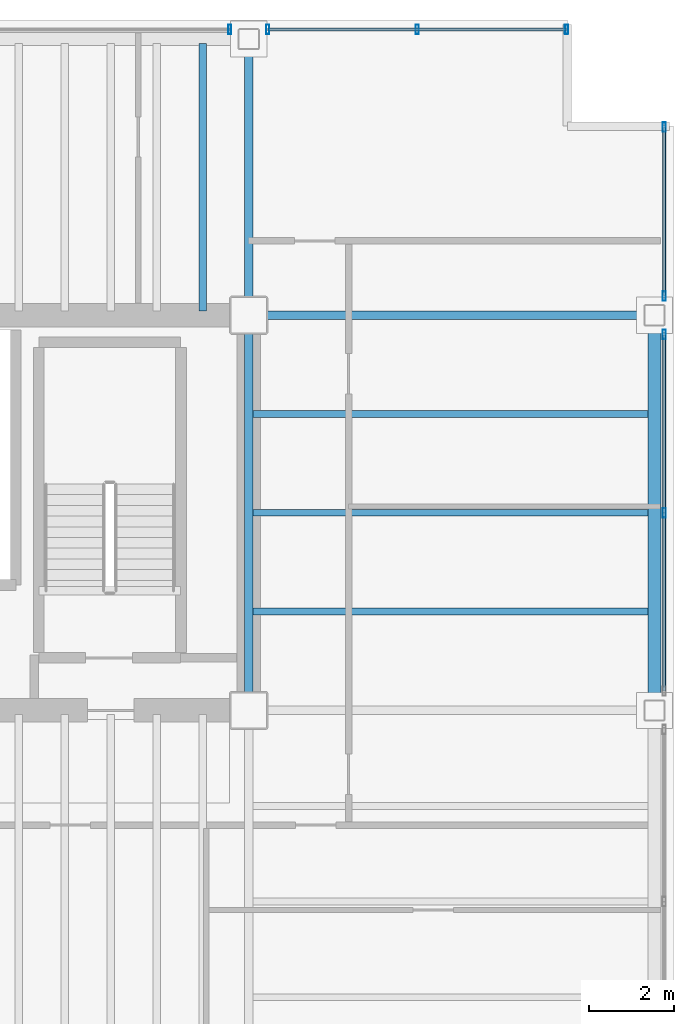
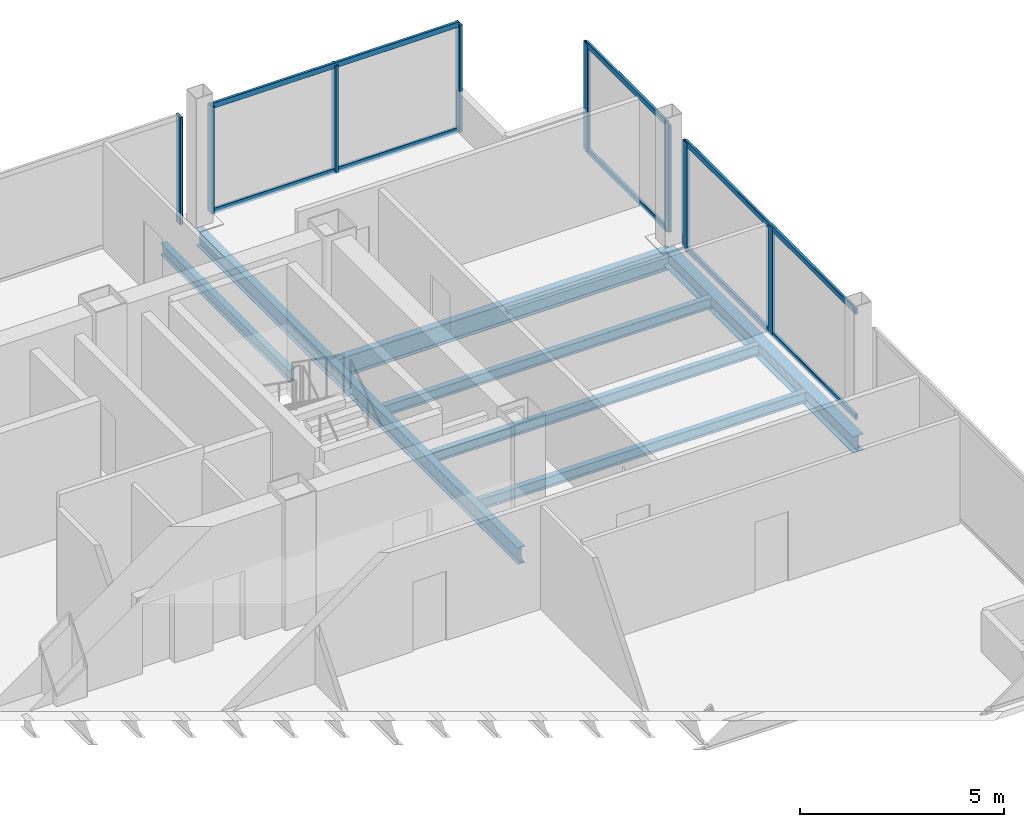
# One storey, part 11 of 15: 14 members, 8 beams, 4 elements without a shape of their own.
"""IFC4 building model written with IfcOpenShell, lengths in metres."""

from ifc_helpers import new_model, si_unit, direction, frame, origin, origin_2d, place, context, subcontext, project, spatial, hollow_rectangle, i_section, extrude, material, material_profile, profile_set, type_object, element, aggregate, save


model = new_model("IFC4")

# Units and contexts
model_context = context("Model", 3, precision=1e-05, world=origin(), true_north=direction((0.0, 1.0)))
body_context = subcontext(model_context, "Body", "Model", "MODEL_VIEW")
ifc_project = project(units=[si_unit("LENGTHUNIT", "METRE"), si_unit("AREAUNIT", "SQUARE_METRE"), si_unit("VOLUMEUNIT", "CUBIC_METRE"), si_unit("PLANEANGLEUNIT", "RADIAN"), si_unit("MASSUNIT", "GRAM", prefix="KILO")], contexts=[model_context])

# Site, building, storey
site_placement = place(None, origin())
site = spatial("IfcSite", under=ifc_project, at=site_placement, CompositionType="ELEMENT")
building_placement = place(site_placement, origin())
building = spatial("IfcBuilding", under=site, at=building_placement, Name="Noeulbin Bourse Tower", CompositionType="ELEMENT")
storey_placement = place(building_placement, frame((0.0, 0.0, 173.39990234375)))
storey = spatial("IfcBuildingStorey", under=building, at=storey_placement, Name="L43", CompositionType="ELEMENT", Elevation=173.39990234375)

# Beams
ifc_material_1 = material(Name="Steel S355", Category="steel")
ifc_material_profile_1 = material_profile(ifc_material_1, i_section(OverallWidth=0.199951171875, OverallDepth=0.5, WebThickness=0.010009765625, FlangeThickness=0.01611328125, FilletRadius=0.02001953125, at=origin_2d()), Name="H-500x200x10x16", Category="LoadBearing")
ifc_profile_set_1 = profile_set([ifc_material_profile_1], Name="Steel S355")
beam_type_1 = type_object("IfcBeamType", Name="BM-GRD-500", PredefinedType="USERDEFINED", material=ifc_profile_set_1)
beam_1_placement = place(storey_placement, frame((44.0, 29.0, -0.429931640625), z_axis=(0.0, 1.0, 0.0), x_axis=(-1.0, 0.0, 0.0)))
element("IfcBeam", 1, at=beam_1_placement, inside=storey, type_object=beam_type_1, Name="Tower Primary Girder NS L43-5.3", ObjectType="GIRDER", PredefinedType="USERDEFINED", context=body_context, shape_type="SweptSolid", body=[
    extrude(i_section(OverallWidth=0.199951171875, OverallDepth=0.5, WebThickness=0.010009765625, FlangeThickness=0.01611328125, FilletRadius=0.02001953125, at=origin_2d()), origin(), (0.0, 0.0, 1.0), 9.300048828125),
])
beam_2_placement = place(storey_placement, frame((44.0, 38.300048828125, -0.429931640625), z_axis=(0.0, 1.0, 0.0), x_axis=(-1.0, 0.0, 0.0)))
element("IfcBeam", 2, at=beam_2_placement, inside=storey, type_object=beam_type_1, Name="Tower Primary Girder NS L43-5.4", ObjectType="GIRDER", PredefinedType="USERDEFINED", context=body_context, shape_type="SweptSolid", body=[
    extrude(i_section(OverallWidth=0.199951171875, OverallDepth=0.5, WebThickness=0.010009765625, FlangeThickness=0.01611328125, FilletRadius=0.02001953125, at=origin_2d()), origin(), (0.0, 0.0, 1.0), 6.5),
])
ifc_material_profile_2 = material_profile(ifc_material_1, i_section(OverallWidth=0.199951171875, OverallDepth=0.60009765625, WebThickness=0.010986328125, FlangeThickness=0.01708984375, FilletRadius=0.02197265625, at=origin_2d()), Name="H-600x200x11x17", Category="LoadBearing")
ifc_profile_set_2 = profile_set([ifc_material_profile_2], Name="Steel S355")
beam_type_2 = type_object("IfcBeamType", Name="BM-GRD-600", PredefinedType="USERDEFINED", material=ifc_profile_set_2)
beam_3_placement = place(storey_placement, frame((44.0, 38.300048828125, -0.47998046875), z_axis=(1.0, 0.0, 0.0), x_axis=(0.0, 1.0, 0.0)))
element("IfcBeam", 3, at=beam_3_placement, inside=storey, type_object=beam_type_2, Name="Tower Primary Girder EW L43-3.6", ObjectType="GIRDER", PredefinedType="USERDEFINED", context=body_context, shape_type="SweptSolid", body=[
    extrude(i_section(OverallWidth=0.199951171875, OverallDepth=0.60009765625, WebThickness=0.010986328125, FlangeThickness=0.01708984375, FilletRadius=0.02197265625, at=origin_2d()), origin(), (0.0, 0.0, 1.0), 9.550048828125),
])
ifc_material_profile_3 = material_profile(ifc_material_1, i_section(OverallWidth=0.159912109375, OverallDepth=0.320068359375, WebThickness=0.006591796875, FlangeThickness=0.010009765625, FilletRadius=0.012939453125, at=origin_2d()), Name="H-320x160x6.5x10", Category="LoadBearing")
ifc_profile_set_3 = profile_set([ifc_material_profile_3], Name="Steel S355")
beam_type_3 = type_object("IfcBeamType", Name="BM-JST-320", PredefinedType="JOIST", material=ifc_profile_set_3)
for number, where, z_axis, x_axis, name in (
    (4, (44.10009765625, 31.324951171875, -0.33984375), (1.0, 0.0, 0.0), (0.0, 1.0, 0.0), "Wing Composite Joist L43-E76"),
    (5, (44.10009765625, 33.64990234375, -0.33984375), (1.0, 0.0, 0.0), (0.0, 1.0, 0.0), "Wing Composite Joist L43-E77"),
    (6, (44.10009765625, 35.97509765625, -0.33984375), (1.0, 0.0, 0.0), (0.0, 1.0, 0.0), "Wing Composite Joist L43-E78"),
):
    element("IfcBeam", number, at=place(storey_placement, frame(where, z_axis=z_axis, x_axis=x_axis)), inside=storey, type_object=beam_type_3, Name=name, PredefinedType="JOIST", context=body_context, shape_type="SweptSolid", body=[
        extrude(i_section(OverallWidth=0.159912109375, OverallDepth=0.320068359375, WebThickness=0.006591796875, FlangeThickness=0.010009765625, FilletRadius=0.012939453125, at=origin_2d()), origin(), (0.0, 0.0, 1.0), 9.2998046875),
    ])
ifc_material_profile_4 = material_profile(ifc_material_1, i_section(OverallWidth=0.175048828125, OverallDepth=0.35009765625, WebThickness=0.007080078125, FlangeThickness=0.010986328125, FilletRadius=0.013916015625, at=origin_2d()), Name="H-350x175x7x11", Category="LoadBearing")
ifc_profile_set_4 = profile_set([ifc_material_profile_4], Name="Steel S355")
beam_type_4 = type_object("IfcBeamType", Name="BM-JST-350", PredefinedType="JOIST", material=ifc_profile_set_4)
beam_4_placement = place(storey_placement, frame((42.916748046875, 38.39990234375, -0.35498046875), z_axis=(0.0, 1.0, 0.0), x_axis=(-1.0, 0.0, 0.0)))
element("IfcBeam", 7, at=beam_4_placement, inside=storey, type_object=beam_type_4, Name="Tower Composite Joist L43-66", PredefinedType="JOIST", context=body_context, shape_type="SweptSolid", body=[
    extrude(i_section(OverallWidth=0.175048828125, OverallDepth=0.35009765625, WebThickness=0.007080078125, FlangeThickness=0.010986328125, FilletRadius=0.013916015625, at=origin_2d()), origin(), (0.0, 0.0, 1.0), 6.300048828125),
])
ifc_material_profile_5 = material_profile(ifc_material_1, i_section(OverallWidth=0.300048828125, OverallDepth=0.488037109375, WebThickness=0.010986328125, FlangeThickness=0.01806640625, FilletRadius=0.02197265625, at=origin_2d()), Name="H-488x300x11x18", Category="LoadBearing")
ifc_profile_set_5 = profile_set([ifc_material_profile_5], Name="Steel S355")
beam_type_5 = type_object("IfcBeamType", Name="BM-SPN-488", PredefinedType="SPANDREL", material=ifc_profile_set_5)
beam_5_placement = place(storey_placement, frame((53.550048828125, 29.0, -0.423828125), z_axis=(0.0, 1.0, 0.0), x_axis=(-1.0, 0.0, 0.0)))
element("IfcBeam", 8, at=beam_5_placement, inside=storey, type_object=beam_type_5, Name="East Spandrel L43-2", PredefinedType="SPANDREL", context=body_context, shape_type="SweptSolid", body=[
    extrude(i_section(OverallWidth=0.300048828125, OverallDepth=0.488037109375, WebThickness=0.010986328125, FlangeThickness=0.01806640625, FilletRadius=0.02197265625, at=origin_2d()), origin(), (0.0, 0.0, 1.0), 9.300048828125),
])

# Curtain wall, member
ifc_material_2 = material(Name="Dark Tinted Triple Glazing", Category="glass")
curtain_wall_type = type_object("IfcCurtainWallType", Name="CW-SYS-3", PredefinedType="NOTDEFINED", material=ifc_material_2)
curtain_wall_1_placement = place(storey_placement, origin())
curtain_wall_1 = element("IfcCurtainWall", 9, at=curtain_wall_1_placement, inside=storey, type_object=curtain_wall_type, Name="Unitised Curtain Wall CW-L43-N-S4", PredefinedType="NOTDEFINED")
ifc_material_3 = material(Name="Anodised Aluminium 6063-T6", Category="aluminium")
ifc_material_profile_6 = material_profile(ifc_material_3, hollow_rectangle(XDim=0.074951171875, YDim=0.219970703125, WallThickness=0.0048828125, InnerFilletRadius=0.00244140625, OuterFilletRadius=0.0048828125, at=origin_2d()), Name="ALU-MULL-75x220x5", Category="LoadBearing")
ifc_profile_set_6 = profile_set([ifc_material_profile_6], Name="Anodised Aluminium 6063-T6")
member_type_1 = type_object("IfcMemberType", Name="CW-SYS-3-MUL", PredefinedType="MULLION", material=ifc_profile_set_6)
member_1_placement = place(storey_placement, frame((43.550048828125, 45.030029296875, -0.02001953125), z_axis=(0.0, 0.0, 1.0), x_axis=(1.0, 0.0, 0.0)))
member_1 = element("IfcMember", 10, at=member_1_placement, type_object=member_type_1, Name="Curtain Wall Mullion CW-L43-N-S4-M01", PredefinedType="MULLION", context=body_context, shape_type="SweptSolid", body=[
    extrude(hollow_rectangle(XDim=0.074951171875, YDim=0.219970703125, WallThickness=0.0048828125, InnerFilletRadius=0.00244140625, OuterFilletRadius=0.0048828125, at=origin_2d()), origin(), (0.0, 0.0, 1.0), 3.22021484375),
])
aggregate(curtain_wall_1, [member_1])

# Curtain wall, members
curtain_wall_2_placement = place(storey_placement, origin())
curtain_wall_2 = element("IfcCurtainWall", 11, at=curtain_wall_2_placement, inside=storey, type_object=curtain_wall_type, Name="Unitised Curtain Wall CW-L43-N-S5", PredefinedType="NOTDEFINED")
member_2_placement = place(storey_placement, frame((44.449951171875, 45.030029296875, -0.02001953125), z_axis=(0.0, 0.0, 1.0), x_axis=(1.0, 0.0, 0.0)))
member_2 = element("IfcMember", 12, at=member_2_placement, type_object=member_type_1, Name="Curtain Wall Mullion CW-L43-N-S5-M00", PredefinedType="MULLION", context=body_context, shape_type="SweptSolid", body=[
    extrude(hollow_rectangle(XDim=0.074951171875, YDim=0.219970703125, WallThickness=0.0048828125, InnerFilletRadius=0.00244140625, OuterFilletRadius=0.0048828125, at=origin_2d()), origin(), (0.0, 0.0, 1.0), 3.22021484375),
])
member_3_placement = place(storey_placement, frame((47.965087890625, 45.030029296875, -0.02001953125), z_axis=(0.0, 0.0, 1.0), x_axis=(1.0, 0.0, 0.0)))
member_3 = element("IfcMember", 13, at=member_3_placement, type_object=member_type_1, Name="Curtain Wall Mullion CW-L43-N-S5-M01", PredefinedType="MULLION", context=body_context, shape_type="SweptSolid", body=[
    extrude(hollow_rectangle(XDim=0.074951171875, YDim=0.219970703125, WallThickness=0.0048828125, InnerFilletRadius=0.00244140625, OuterFilletRadius=0.0048828125, at=origin_2d()), origin(), (0.0, 0.0, 1.0), 3.22021484375),
])
member_4_placement = place(storey_placement, frame((51.47998046875, 45.030029296875, -0.02001953125), z_axis=(0.0, 0.0, 1.0), x_axis=(1.0, 0.0, 0.0)))
member_4 = element("IfcMember", 14, at=member_4_placement, type_object=member_type_1, Name="Curtain Wall Mullion CW-L43-N-S5-M02", PredefinedType="MULLION", context=body_context, shape_type="SweptSolid", body=[
    extrude(hollow_rectangle(XDim=0.074951171875, YDim=0.219970703125, WallThickness=0.0048828125, InnerFilletRadius=0.00244140625, OuterFilletRadius=0.0048828125, at=origin_2d()), origin(), (0.0, 0.0, 1.0), 3.22021484375),
])

curtain_wall_3_placement = place(storey_placement, origin())
curtain_wall_3 = element("IfcCurtainWall", 15, at=curtain_wall_3_placement, inside=storey, type_object=curtain_wall_type, Name="Unitised Curtain Wall CW-L43-E-S2", PredefinedType="NOTDEFINED")
member_5_placement = place(storey_placement, frame((53.780029296875, 33.64990234375, -0.02001953125), z_axis=(0.0, 0.0, 1.0), x_axis=(1.0, 0.0, 0.0)))
member_5 = element("IfcMember", 16, at=member_5_placement, type_object=member_type_1, Name="Curtain Wall Mullion CW-L43-E-S2-M01", PredefinedType="MULLION", context=body_context, shape_type="SweptSolid", body=[
    extrude(hollow_rectangle(XDim=0.074951171875, YDim=0.219970703125, WallThickness=0.0048828125, InnerFilletRadius=0.00244140625, OuterFilletRadius=0.0048828125, at=origin_2d()), origin(), (0.0, 0.0, 1.0), 3.22021484375),
])
member_6_placement = place(storey_placement, frame((53.780029296875, 37.85009765625, -0.02001953125), z_axis=(0.0, 0.0, 1.0), x_axis=(1.0, 0.0, 0.0)))
member_6 = element("IfcMember", 17, at=member_6_placement, type_object=member_type_1, Name="Curtain Wall Mullion CW-L43-E-S2-M02", PredefinedType="MULLION", context=body_context, shape_type="SweptSolid", body=[
    extrude(hollow_rectangle(XDim=0.074951171875, YDim=0.219970703125, WallThickness=0.0048828125, InnerFilletRadius=0.00244140625, OuterFilletRadius=0.0048828125, at=origin_2d()), origin(), (0.0, 0.0, 1.0), 3.22021484375),
])

curtain_wall_4_placement = place(storey_placement, origin())
curtain_wall_4 = element("IfcCurtainWall", 18, at=curtain_wall_4_placement, inside=storey, type_object=curtain_wall_type, Name="Unitised Curtain Wall CW-L43-E-S3", PredefinedType="NOTDEFINED")
member_7_placement = place(storey_placement, frame((53.780029296875, 38.75, -0.02001953125), z_axis=(0.0, 0.0, 1.0), x_axis=(1.0, 0.0, 0.0)))
member_7 = element("IfcMember", 19, at=member_7_placement, type_object=member_type_1, Name="Curtain Wall Mullion CW-L43-E-S3-M00", PredefinedType="MULLION", context=body_context, shape_type="SweptSolid", body=[
    extrude(hollow_rectangle(XDim=0.074951171875, YDim=0.219970703125, WallThickness=0.0048828125, InnerFilletRadius=0.00244140625, OuterFilletRadius=0.0048828125, at=origin_2d()), origin(), (0.0, 0.0, 1.0), 3.22021484375),
])
member_8_placement = place(storey_placement, frame((53.780029296875, 42.72998046875, -0.02001953125), z_axis=(0.0, 0.0, 1.0), x_axis=(1.0, 0.0, 0.0)))
member_8 = element("IfcMember", 20, at=member_8_placement, type_object=member_type_1, Name="Curtain Wall Mullion CW-L43-E-S3-M01", PredefinedType="MULLION", context=body_context, shape_type="SweptSolid", body=[
    extrude(hollow_rectangle(XDim=0.074951171875, YDim=0.219970703125, WallThickness=0.0048828125, InnerFilletRadius=0.00244140625, OuterFilletRadius=0.0048828125, at=origin_2d()), origin(), (0.0, 0.0, 1.0), 3.22021484375),
])

# Member
ifc_material_profile_7 = material_profile(ifc_material_3, hollow_rectangle(XDim=0.074951171875, YDim=0.159912109375, WallThickness=0.0048828125, InnerFilletRadius=0.00244140625, OuterFilletRadius=0.0048828125, at=origin_2d()), Name="ALU-TRAN-75x160x5", Category="LoadBearing")
ifc_profile_set_7 = profile_set([ifc_material_profile_7], Name="Anodised Aluminium 6063-T6")
member_type_2 = type_object("IfcMemberType", Name="CW-SYS-3-TRN", PredefinedType="USERDEFINED", material=ifc_profile_set_7)
member_9_placement = place(storey_placement, frame((44.4599609375, 45.030029296875, 0.010009765625), z_axis=(1.0, 0.0, 0.0), x_axis=(0.0, 1.0, 0.0)))
member_9 = element("IfcMember", 21, at=member_9_placement, type_object=member_type_2, Name="Curtain Wall Transom CW-L43-N-S5-T00", ObjectType="TRANSOM", PredefinedType="USERDEFINED", context=body_context, shape_type="SweptSolid", body=[
    extrude(hollow_rectangle(XDim=0.074951171875, YDim=0.159912109375, WallThickness=0.0048828125, InnerFilletRadius=0.00244140625, OuterFilletRadius=0.0048828125, at=origin_2d()), origin(), (0.0, 0.0, 1.0), 7.010009765625),
])

member_10_placement = place(storey_placement, frame((44.4599609375, 45.030029296875, 3.170166015625), z_axis=(1.0, 0.0, 0.0), x_axis=(0.0, 1.0, 0.0)))
member_10 = element("IfcMember", 22, at=member_10_placement, type_object=member_type_2, Name="Curtain Wall Transom CW-L43-N-S5-T01", ObjectType="TRANSOM", PredefinedType="USERDEFINED", context=body_context, shape_type="SweptSolid", body=[
    extrude(hollow_rectangle(XDim=0.074951171875, YDim=0.159912109375, WallThickness=0.0048828125, InnerFilletRadius=0.00244140625, OuterFilletRadius=0.0048828125, at=origin_2d()), origin(), (0.0, 0.0, 1.0), 7.010009765625),
])

aggregate(curtain_wall_2, [member_2, member_3, member_4, member_9, member_10])

member_11_placement = place(storey_placement, frame((53.780029296875, 29.4599609375, 0.010009765625), z_axis=(0.0, 1.0, 0.0), x_axis=(-1.0, 0.0, 0.0)))
member_11 = element("IfcMember", 23, at=member_11_placement, type_object=member_type_2, Name="Curtain Wall Transom CW-L43-E-S2-T00", ObjectType="TRANSOM", PredefinedType="USERDEFINED", context=body_context, shape_type="SweptSolid", body=[
    extrude(hollow_rectangle(XDim=0.074951171875, YDim=0.159912109375, WallThickness=0.0048828125, InnerFilletRadius=0.00244140625, OuterFilletRadius=0.0048828125, at=origin_2d()), origin(), (0.0, 0.0, 1.0), 8.380126953125),
])

member_12_placement = place(storey_placement, frame((53.780029296875, 29.4599609375, 3.170166015625), z_axis=(0.0, 1.0, 0.0), x_axis=(-1.0, 0.0, 0.0)))
member_12 = element("IfcMember", 24, at=member_12_placement, type_object=member_type_2, Name="Curtain Wall Transom CW-L43-E-S2-T01", ObjectType="TRANSOM", PredefinedType="USERDEFINED", context=body_context, shape_type="SweptSolid", body=[
    extrude(hollow_rectangle(XDim=0.074951171875, YDim=0.159912109375, WallThickness=0.0048828125, InnerFilletRadius=0.00244140625, OuterFilletRadius=0.0048828125, at=origin_2d()), origin(), (0.0, 0.0, 1.0), 8.380126953125),
])

aggregate(curtain_wall_3, [member_5, member_6, member_11, member_12])

member_13_placement = place(storey_placement, frame((53.780029296875, 38.760009765625, 0.010009765625), z_axis=(0.0, 1.0, 0.0), x_axis=(-1.0, 0.0, 0.0)))
member_13 = element("IfcMember", 25, at=member_13_placement, type_object=member_type_2, Name="Curtain Wall Transom CW-L43-E-S3-T00", ObjectType="TRANSOM", PredefinedType="USERDEFINED", context=body_context, shape_type="SweptSolid", body=[
    extrude(hollow_rectangle(XDim=0.074951171875, YDim=0.159912109375, WallThickness=0.0048828125, InnerFilletRadius=0.00244140625, OuterFilletRadius=0.0048828125, at=origin_2d()), origin(), (0.0, 0.0, 1.0), 3.9599609375),
])

member_14_placement = place(storey_placement, frame((53.780029296875, 38.760009765625, 3.170166015625), z_axis=(0.0, 1.0, 0.0), x_axis=(-1.0, 0.0, 0.0)))
member_14 = element("IfcMember", 26, at=member_14_placement, type_object=member_type_2, Name="Curtain Wall Transom CW-L43-E-S3-T01", ObjectType="TRANSOM", PredefinedType="USERDEFINED", context=body_context, shape_type="SweptSolid", body=[
    extrude(hollow_rectangle(XDim=0.074951171875, YDim=0.159912109375, WallThickness=0.0048828125, InnerFilletRadius=0.00244140625, OuterFilletRadius=0.0048828125, at=origin_2d()), origin(), (0.0, 0.0, 1.0), 3.9599609375),
])

aggregate(curtain_wall_4, [member_7, member_8, member_13, member_14])

save(model, "model.ifc")
